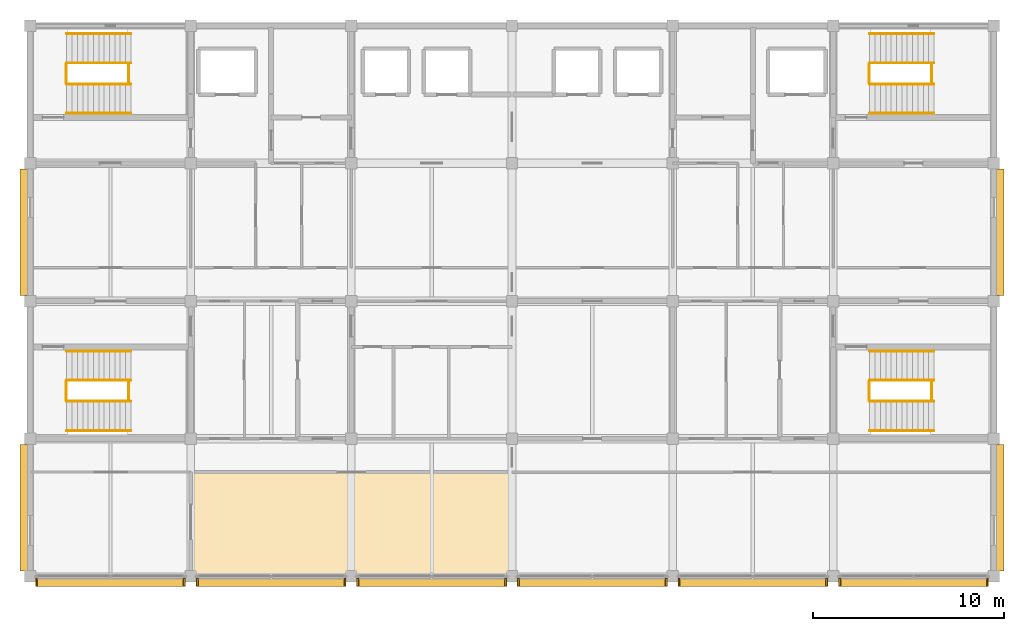
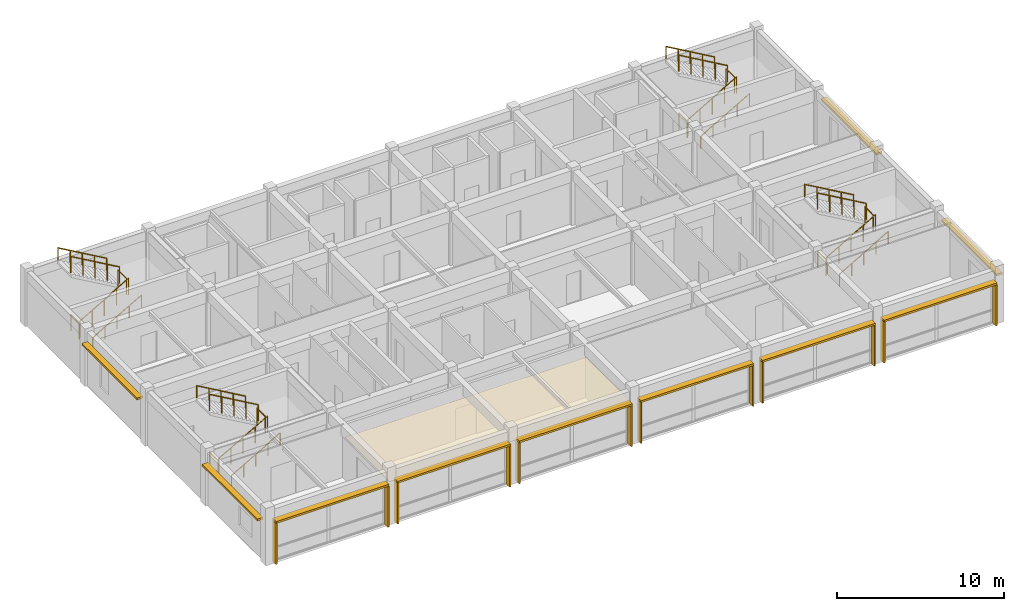
# One storey, part 13 of 13: 24 railings, 22 shading devices, 1 covering.
"""IFC4 building model written with IfcOpenShell, lengths in metres."""

from ifc_helpers import new_model, si_unit, direction, frame, origin, origin_2d, place, context, subcontext, project, spatial, polyline, rectangle, circle, outline, extrude, material, layer, layer_set, type_object, element, save


model = new_model("IFC4")

# Units and contexts
model_context = context("Model", 3, precision=1e-05, world=origin(), true_north=direction((0.0, 1.0)))
body_context = subcontext(model_context, "Body", "Model", "MODEL_VIEW")
ifc_project = project(units=[si_unit("LENGTHUNIT", "METRE"), si_unit("AREAUNIT", "SQUARE_METRE"), si_unit("VOLUMEUNIT", "CUBIC_METRE"), si_unit("PLANEANGLEUNIT", "RADIAN"), si_unit("MASSUNIT", "GRAM", prefix="KILO")], contexts=[model_context])

# Site, building, storey
site_placement = place(None, origin())
site = spatial("IfcSite", under=ifc_project, at=site_placement, CompositionType="ELEMENT")
building_placement = place(site_placement, origin())
building = spatial("IfcBuilding", under=site, at=building_placement, Name="Chengyuan Square Courthouse", CompositionType="ELEMENT")
storey_placement = place(building_placement, frame((0.0, 0.0, 64.5)))
storey = spatial("IfcBuildingStorey", under=building, at=storey_placement, Name="L15", CompositionType="ELEMENT", Elevation=64.5)

# Covering
ifc_material_1 = material(Name="Perforated Larch Glulam Acoustic Slat Ceiling", Category="wood")
ifc_layer = layer(ifc_material_1, 0.044921875)
ifc_layer_set = layer_set([ifc_layer], Name="Perforated Larch Glulam Acoustic Slat Ceiling")
covering_type = type_object("IfcCoveringType", Name="CLG-01", PredefinedType="CEILING", material=ifc_layer_set)
covering_placement = place(storey_placement, frame((0.0, 0.0, 2.85009765625)))
element("IfcCovering", 1, at=covering_placement, inside=storey, type_object=covering_type, Name="Acoustic Timber Slat Ceiling CLG-L15-LCH-01", PredefinedType="CEILING", context=body_context, shape_type="SweptSolid", body=[
    extrude(outline(polyline([(67.25, 79.25), (83.949951171875, 79.25), (83.949951171875, 84.60009765625), (67.25, 84.60009765625), (67.25, 79.25)])), origin(), (0.0, 0.0, 1.0), 0.044921875),
])

# Railings
ifc_material_2 = material(Name="Tempered Glass and Timber Top-Rail Balustrade", Category="wood")
railing_type_1 = type_object("IfcRailingType", Name="RL-02", PredefinedType="BALUSTRADE", material=ifc_material_2)
for number, where, name in (
    (2, (60.68994140625, 105.0, 0.0), "Stair Floor Slot Guard ST-1 L15"),
    (3, (63.949951171875, 105.0, 2.10009765625), "Stair Landing Guard ST-1-L15"),
):
    element("IfcRailing", number, at=place(storey_placement, frame(where)), inside=storey, type_object=railing_type_1, Name=name, PredefinedType="BALUSTRADE", context=body_context, shape_type="SweptSolid", body=[
        extrude(circle(Radius=0.02392578125, at=origin_2d()), frame((0.0, 0.0, 1.17578125), z_axis=(0.0, 1.0, 0.0), x_axis=(-1.0, 0.0, 0.0)), (0.0, 0.0, 1.0), 1.0),
        extrude(circle(Radius=0.02099609375, at=origin_2d()), origin(), (0.0, 0.0, 1.0), 1.15185546875),
        extrude(circle(Radius=0.02099609375, at=origin_2d()), frame((0.0, 1.0, 0.0)), (0.0, 0.0, 1.0), 1.15185546875),
    ])
railing_1_placement = place(storey_placement, frame((60.7099609375, 104.949951171875, 0.16162109375)))
element("IfcRailing", 4, at=railing_1_placement, inside=storey, type_object=railing_type_1, Name="Stair Flight 1 Guard ST-1-L15", PredefinedType="BALUSTRADE", context=body_context, shape_type="SweptSolid", body=[
    extrude(circle(Radius=0.02392578125, at=origin_2d()), frame((0.0, 0.0, 1.17578125), z_axis=(0.866190824863, 0.0, 0.499713372768), x_axis=(0.0, 1.0, 0.0)), (0.0, 0.0, 1.0), 3.879150390625),
    extrude(circle(Radius=0.02099609375, at=origin_2d()), origin(), (0.0, 0.0, 1.0), 1.15185546875),
    extrude(circle(Radius=0.02099609375, at=origin_2d()), frame((0.840087890625, 0.0, 0.484619140625)), (0.0, 0.0, 1.0), 1.15185546875),
    extrude(circle(Radius=0.02099609375, at=origin_2d()), frame((1.68017578125, 0.0, 0.96923828125)), (0.0, 0.0, 1.0), 1.15185546875),
    extrude(circle(Radius=0.02099609375, at=origin_2d()), frame((2.52001953125, 0.0, 1.453857421875)), (0.0, 0.0, 1.0), 1.15185546875),
    extrude(circle(Radius=0.02099609375, at=origin_2d()), frame((3.360107421875, 0.0, 1.9384765625)), (0.0, 0.0, 1.0), 1.15185546875),
])
railing_2_placement = place(storey_placement, frame((64.070068359375, 106.050048828125, 2.261474609375)))
element("IfcRailing", 5, at=railing_2_placement, inside=storey, type_object=railing_type_1, Name="Stair Flight 2 Guard ST-1-L15", PredefinedType="BALUSTRADE", context=body_context, shape_type="SweptSolid", body=[
    extrude(circle(Radius=0.02392578125, at=origin_2d()), frame((0.0, 0.0, 1.17578125), z_axis=(-0.866190824863, 0.0, 0.499713372768), x_axis=(0.0, -1.0, 0.0)), (0.0, 0.0, 1.0), 3.879150390625),
    extrude(circle(Radius=0.02099609375, at=origin_2d()), origin(), (0.0, 0.0, 1.0), 1.15185546875),
    extrude(circle(Radius=0.02099609375, at=origin_2d()), frame((-0.840087890625, 0.0, 0.484619140625)), (0.0, 0.0, 1.0), 1.15185546875),
    extrude(circle(Radius=0.02099609375, at=origin_2d()), frame((-1.68017578125, 0.0, 0.96923828125)), (0.0, 0.0, 1.0), 1.15185546875),
    extrude(circle(Radius=0.02099609375, at=origin_2d()), frame((-2.52001953125, 0.0, 1.453857421875)), (0.0, 0.0, 1.0), 1.15185546875),
    extrude(circle(Radius=0.02099609375, at=origin_2d()), frame((-3.360107421875, 0.0, 1.9384765625)), (0.0, 0.0, 1.0), 1.15185546875),
])
for number, where, name in (
    (6, (102.68994140625, 105.0, 0.0), "Stair Floor Slot Guard ST-2 L15"),
    (7, (105.949951171875, 105.0, 2.10009765625), "Stair Landing Guard ST-2-L15"),
):
    element("IfcRailing", number, at=place(storey_placement, frame(where)), inside=storey, type_object=railing_type_1, Name=name, PredefinedType="BALUSTRADE", context=body_context, shape_type="SweptSolid", body=[
        extrude(circle(Radius=0.02392578125, at=origin_2d()), frame((0.0, 0.0, 1.17578125), z_axis=(0.0, 1.0, 0.0), x_axis=(-1.0, 0.0, 0.0)), (0.0, 0.0, 1.0), 1.0),
        extrude(circle(Radius=0.02099609375, at=origin_2d()), origin(), (0.0, 0.0, 1.0), 1.15185546875),
        extrude(circle(Radius=0.02099609375, at=origin_2d()), frame((0.0, 1.0, 0.0)), (0.0, 0.0, 1.0), 1.15185546875),
    ])
railing_3_placement = place(storey_placement, frame((102.7099609375, 104.949951171875, 0.16162109375)))
element("IfcRailing", 8, at=railing_3_placement, inside=storey, type_object=railing_type_1, Name="Stair Flight 1 Guard ST-2-L15", PredefinedType="BALUSTRADE", context=body_context, shape_type="SweptSolid", body=[
    extrude(circle(Radius=0.02392578125, at=origin_2d()), frame((0.0, 0.0, 1.17578125), z_axis=(0.866190824863, 0.0, 0.499713372768), x_axis=(0.0, 1.0, 0.0)), (0.0, 0.0, 1.0), 3.879150390625),
    extrude(circle(Radius=0.02099609375, at=origin_2d()), origin(), (0.0, 0.0, 1.0), 1.15185546875),
    extrude(circle(Radius=0.02099609375, at=origin_2d()), frame((0.840087890625, 0.0, 0.484619140625)), (0.0, 0.0, 1.0), 1.15185546875),
    extrude(circle(Radius=0.02099609375, at=origin_2d()), frame((1.68017578125, 0.0, 0.96923828125)), (0.0, 0.0, 1.0), 1.15185546875),
    extrude(circle(Radius=0.02099609375, at=origin_2d()), frame((2.52001953125, 0.0, 1.453857421875)), (0.0, 0.0, 1.0), 1.15185546875),
    extrude(circle(Radius=0.02099609375, at=origin_2d()), frame((3.360107421875, 0.0, 1.9384765625)), (0.0, 0.0, 1.0), 1.15185546875),
])
railing_4_placement = place(storey_placement, frame((106.070068359375, 106.050048828125, 2.261474609375)))
element("IfcRailing", 9, at=railing_4_placement, inside=storey, type_object=railing_type_1, Name="Stair Flight 2 Guard ST-2-L15", PredefinedType="BALUSTRADE", context=body_context, shape_type="SweptSolid", body=[
    extrude(circle(Radius=0.02392578125, at=origin_2d()), frame((0.0, 0.0, 1.17578125), z_axis=(-0.866190824863, 0.0, 0.499713372768), x_axis=(0.0, -1.0, 0.0)), (0.0, 0.0, 1.0), 3.879150390625),
    extrude(circle(Radius=0.02099609375, at=origin_2d()), origin(), (0.0, 0.0, 1.0), 1.15185546875),
    extrude(circle(Radius=0.02099609375, at=origin_2d()), frame((-0.840087890625, 0.0, 0.484619140625)), (0.0, 0.0, 1.0), 1.15185546875),
    extrude(circle(Radius=0.02099609375, at=origin_2d()), frame((-1.68017578125, 0.0, 0.96923828125)), (0.0, 0.0, 1.0), 1.15185546875),
    extrude(circle(Radius=0.02099609375, at=origin_2d()), frame((-2.52001953125, 0.0, 1.453857421875)), (0.0, 0.0, 1.0), 1.15185546875),
    extrude(circle(Radius=0.02099609375, at=origin_2d()), frame((-3.360107421875, 0.0, 1.9384765625)), (0.0, 0.0, 1.0), 1.15185546875),
])
for number, where, name in (
    (10, (60.68994140625, 88.39990234375, 0.0), "Stair Floor Slot Guard ST-3 L15"),
    (11, (63.949951171875, 88.39990234375, 2.10009765625), "Stair Landing Guard ST-3-L15"),
):
    element("IfcRailing", number, at=place(storey_placement, frame(where)), inside=storey, type_object=railing_type_1, Name=name, PredefinedType="BALUSTRADE", context=body_context, shape_type="SweptSolid", body=[
        extrude(circle(Radius=0.02392578125, at=origin_2d()), frame((0.0, 0.0, 1.17578125), z_axis=(0.0, 1.0, 0.0), x_axis=(-1.0, 0.0, 0.0)), (0.0, 0.0, 1.0), 1.0),
        extrude(circle(Radius=0.02099609375, at=origin_2d()), origin(), (0.0, 0.0, 1.0), 1.15185546875),
        extrude(circle(Radius=0.02099609375, at=origin_2d()), frame((0.0, 1.0, 0.0)), (0.0, 0.0, 1.0), 1.15185546875),
    ])
railing_5_placement = place(storey_placement, frame((60.7099609375, 88.35009765625, 0.16162109375)))
element("IfcRailing", 12, at=railing_5_placement, inside=storey, type_object=railing_type_1, Name="Stair Flight 1 Guard ST-3-L15", PredefinedType="BALUSTRADE", context=body_context, shape_type="SweptSolid", body=[
    extrude(circle(Radius=0.02392578125, at=origin_2d()), frame((0.0, 0.0, 1.17578125), z_axis=(0.866190824863, 0.0, 0.499713372768), x_axis=(0.0, 1.0, 0.0)), (0.0, 0.0, 1.0), 3.879150390625),
    extrude(circle(Radius=0.02099609375, at=origin_2d()), origin(), (0.0, 0.0, 1.0), 1.15185546875),
    extrude(circle(Radius=0.02099609375, at=origin_2d()), frame((0.840087890625, 0.0, 0.484619140625)), (0.0, 0.0, 1.0), 1.15185546875),
    extrude(circle(Radius=0.02099609375, at=origin_2d()), frame((1.68017578125, 0.0, 0.96923828125)), (0.0, 0.0, 1.0), 1.15185546875),
    extrude(circle(Radius=0.02099609375, at=origin_2d()), frame((2.52001953125, 0.0, 1.453857421875)), (0.0, 0.0, 1.0), 1.15185546875),
    extrude(circle(Radius=0.02099609375, at=origin_2d()), frame((3.360107421875, 0.0, 1.9384765625)), (0.0, 0.0, 1.0), 1.15185546875),
])
railing_6_placement = place(storey_placement, frame((64.070068359375, 89.449951171875, 2.261474609375)))
element("IfcRailing", 13, at=railing_6_placement, inside=storey, type_object=railing_type_1, Name="Stair Flight 2 Guard ST-3-L15", PredefinedType="BALUSTRADE", context=body_context, shape_type="SweptSolid", body=[
    extrude(circle(Radius=0.02392578125, at=origin_2d()), frame((0.0, 0.0, 1.17578125), z_axis=(-0.866190824863, 0.0, 0.499713372768), x_axis=(0.0, -1.0, 0.0)), (0.0, 0.0, 1.0), 3.879150390625),
    extrude(circle(Radius=0.02099609375, at=origin_2d()), origin(), (0.0, 0.0, 1.0), 1.15185546875),
    extrude(circle(Radius=0.02099609375, at=origin_2d()), frame((-0.840087890625, 0.0, 0.484619140625)), (0.0, 0.0, 1.0), 1.15185546875),
    extrude(circle(Radius=0.02099609375, at=origin_2d()), frame((-1.68017578125, 0.0, 0.96923828125)), (0.0, 0.0, 1.0), 1.15185546875),
    extrude(circle(Radius=0.02099609375, at=origin_2d()), frame((-2.52001953125, 0.0, 1.453857421875)), (0.0, 0.0, 1.0), 1.15185546875),
    extrude(circle(Radius=0.02099609375, at=origin_2d()), frame((-3.360107421875, 0.0, 1.9384765625)), (0.0, 0.0, 1.0), 1.15185546875),
])
for number, where, name in (
    (14, (102.68994140625, 88.39990234375, 0.0), "Stair Floor Slot Guard ST-4 L15"),
    (15, (105.949951171875, 88.39990234375, 2.10009765625), "Stair Landing Guard ST-4-L15"),
):
    element("IfcRailing", number, at=place(storey_placement, frame(where)), inside=storey, type_object=railing_type_1, Name=name, PredefinedType="BALUSTRADE", context=body_context, shape_type="SweptSolid", body=[
        extrude(circle(Radius=0.02392578125, at=origin_2d()), frame((0.0, 0.0, 1.17578125), z_axis=(0.0, 1.0, 0.0), x_axis=(-1.0, 0.0, 0.0)), (0.0, 0.0, 1.0), 1.0),
        extrude(circle(Radius=0.02099609375, at=origin_2d()), origin(), (0.0, 0.0, 1.0), 1.15185546875),
        extrude(circle(Radius=0.02099609375, at=origin_2d()), frame((0.0, 1.0, 0.0)), (0.0, 0.0, 1.0), 1.15185546875),
    ])
railing_7_placement = place(storey_placement, frame((102.7099609375, 88.35009765625, 0.16162109375)))
element("IfcRailing", 16, at=railing_7_placement, inside=storey, type_object=railing_type_1, Name="Stair Flight 1 Guard ST-4-L15", PredefinedType="BALUSTRADE", context=body_context, shape_type="SweptSolid", body=[
    extrude(circle(Radius=0.02392578125, at=origin_2d()), frame((0.0, 0.0, 1.17578125), z_axis=(0.866190824863, 0.0, 0.499713372768), x_axis=(0.0, 1.0, 0.0)), (0.0, 0.0, 1.0), 3.879150390625),
    extrude(circle(Radius=0.02099609375, at=origin_2d()), origin(), (0.0, 0.0, 1.0), 1.15185546875),
    extrude(circle(Radius=0.02099609375, at=origin_2d()), frame((0.840087890625, 0.0, 0.484619140625)), (0.0, 0.0, 1.0), 1.15185546875),
    extrude(circle(Radius=0.02099609375, at=origin_2d()), frame((1.68017578125, 0.0, 0.96923828125)), (0.0, 0.0, 1.0), 1.15185546875),
    extrude(circle(Radius=0.02099609375, at=origin_2d()), frame((2.52001953125, 0.0, 1.453857421875)), (0.0, 0.0, 1.0), 1.15185546875),
    extrude(circle(Radius=0.02099609375, at=origin_2d()), frame((3.360107421875, 0.0, 1.9384765625)), (0.0, 0.0, 1.0), 1.15185546875),
])
railing_8_placement = place(storey_placement, frame((106.070068359375, 89.449951171875, 2.261474609375)))
element("IfcRailing", 17, at=railing_8_placement, inside=storey, type_object=railing_type_1, Name="Stair Flight 2 Guard ST-4-L15", PredefinedType="BALUSTRADE", context=body_context, shape_type="SweptSolid", body=[
    extrude(circle(Radius=0.02392578125, at=origin_2d()), frame((0.0, 0.0, 1.17578125), z_axis=(-0.866190824863, 0.0, 0.499713372768), x_axis=(0.0, -1.0, 0.0)), (0.0, 0.0, 1.0), 3.879150390625),
    extrude(circle(Radius=0.02099609375, at=origin_2d()), origin(), (0.0, 0.0, 1.0), 1.15185546875),
    extrude(circle(Radius=0.02099609375, at=origin_2d()), frame((-0.840087890625, 0.0, 0.484619140625)), (0.0, 0.0, 1.0), 1.15185546875),
    extrude(circle(Radius=0.02099609375, at=origin_2d()), frame((-1.68017578125, 0.0, 0.96923828125)), (0.0, 0.0, 1.0), 1.15185546875),
    extrude(circle(Radius=0.02099609375, at=origin_2d()), frame((-2.52001953125, 0.0, 1.453857421875)), (0.0, 0.0, 1.0), 1.15185546875),
    extrude(circle(Radius=0.02099609375, at=origin_2d()), frame((-3.360107421875, 0.0, 1.9384765625)), (0.0, 0.0, 1.0), 1.15185546875),
])
ifc_material_3 = material(Name="Stainless Steel S30408 Stair Handrail", Category="steel")
railing_type_2 = type_object("IfcRailingType", Name="RL-04", PredefinedType="HANDRAIL", material=ifc_material_3)
railing_9_placement = place(storey_placement, frame((60.7099609375, 103.419921875, 0.16162109375)))
element("IfcRailing", 18, at=railing_9_placement, inside=storey, type_object=railing_type_2, Name="Stair Flight 1 Handrail ST-1-L15", PredefinedType="HANDRAIL", context=body_context, shape_type="SweptSolid", body=[
    extrude(circle(Radius=0.02392578125, at=origin_2d()), frame((0.0, 0.0, 0.8759765625), z_axis=(0.866190824863, 0.0, 0.499713372768), x_axis=(0.0, 1.0, 0.0)), (0.0, 0.0, 1.0), 3.879150390625),
    extrude(circle(Radius=0.02099609375, at=origin_2d()), origin(), (0.0, 0.0, 1.0), 0.851806640625),
    extrude(circle(Radius=0.02099609375, at=origin_2d()), frame((0.840087890625, 0.0, 0.484619140625)), (0.0, 0.0, 1.0), 0.851806640625),
    extrude(circle(Radius=0.02099609375, at=origin_2d()), frame((1.68017578125, 0.0, 0.96923828125)), (0.0, 0.0, 1.0), 0.851806640625),
    extrude(circle(Radius=0.02099609375, at=origin_2d()), frame((2.52001953125, 0.0, 1.453857421875)), (0.0, 0.0, 1.0), 0.851806640625),
    extrude(circle(Radius=0.02099609375, at=origin_2d()), frame((3.360107421875, 0.0, 1.9384765625)), (0.0, 0.0, 1.0), 0.851806640625),
])
railing_10_placement = place(storey_placement, frame((64.070068359375, 107.580078125, 2.261474609375)))
element("IfcRailing", 19, at=railing_10_placement, inside=storey, type_object=railing_type_2, Name="Stair Flight 2 Handrail ST-1-L15", PredefinedType="HANDRAIL", context=body_context, shape_type="SweptSolid", body=[
    extrude(circle(Radius=0.02392578125, at=origin_2d()), frame((0.0, 0.0, 0.8759765625), z_axis=(-0.866190824863, 0.0, 0.499713372768), x_axis=(0.0, -1.0, 0.0)), (0.0, 0.0, 1.0), 3.879150390625),
    extrude(circle(Radius=0.02099609375, at=origin_2d()), origin(), (0.0, 0.0, 1.0), 0.851806640625),
    extrude(circle(Radius=0.02099609375, at=origin_2d()), frame((-0.840087890625, 0.0, 0.484619140625)), (0.0, 0.0, 1.0), 0.851806640625),
    extrude(circle(Radius=0.02099609375, at=origin_2d()), frame((-1.68017578125, 0.0, 0.96923828125)), (0.0, 0.0, 1.0), 0.851806640625),
    extrude(circle(Radius=0.02099609375, at=origin_2d()), frame((-2.52001953125, 0.0, 1.453857421875)), (0.0, 0.0, 1.0), 0.851806640625),
    extrude(circle(Radius=0.02099609375, at=origin_2d()), frame((-3.360107421875, 0.0, 1.9384765625)), (0.0, 0.0, 1.0), 0.851806640625),
])
railing_11_placement = place(storey_placement, frame((102.7099609375, 103.419921875, 0.16162109375)))
element("IfcRailing", 20, at=railing_11_placement, inside=storey, type_object=railing_type_2, Name="Stair Flight 1 Handrail ST-2-L15", PredefinedType="HANDRAIL", context=body_context, shape_type="SweptSolid", body=[
    extrude(circle(Radius=0.02392578125, at=origin_2d()), frame((0.0, 0.0, 0.8759765625), z_axis=(0.866190824863, 0.0, 0.499713372768), x_axis=(0.0, 1.0, 0.0)), (0.0, 0.0, 1.0), 3.879150390625),
    extrude(circle(Radius=0.02099609375, at=origin_2d()), origin(), (0.0, 0.0, 1.0), 0.851806640625),
    extrude(circle(Radius=0.02099609375, at=origin_2d()), frame((0.840087890625, 0.0, 0.484619140625)), (0.0, 0.0, 1.0), 0.851806640625),
    extrude(circle(Radius=0.02099609375, at=origin_2d()), frame((1.68017578125, 0.0, 0.96923828125)), (0.0, 0.0, 1.0), 0.851806640625),
    extrude(circle(Radius=0.02099609375, at=origin_2d()), frame((2.52001953125, 0.0, 1.453857421875)), (0.0, 0.0, 1.0), 0.851806640625),
    extrude(circle(Radius=0.02099609375, at=origin_2d()), frame((3.360107421875, 0.0, 1.9384765625)), (0.0, 0.0, 1.0), 0.851806640625),
])
railing_12_placement = place(storey_placement, frame((106.070068359375, 107.580078125, 2.261474609375)))
element("IfcRailing", 21, at=railing_12_placement, inside=storey, type_object=railing_type_2, Name="Stair Flight 2 Handrail ST-2-L15", PredefinedType="HANDRAIL", context=body_context, shape_type="SweptSolid", body=[
    extrude(circle(Radius=0.02392578125, at=origin_2d()), frame((0.0, 0.0, 0.8759765625), z_axis=(-0.866190824863, 0.0, 0.499713372768), x_axis=(0.0, -1.0, 0.0)), (0.0, 0.0, 1.0), 3.879150390625),
    extrude(circle(Radius=0.02099609375, at=origin_2d()), origin(), (0.0, 0.0, 1.0), 0.851806640625),
    extrude(circle(Radius=0.02099609375, at=origin_2d()), frame((-0.840087890625, 0.0, 0.484619140625)), (0.0, 0.0, 1.0), 0.851806640625),
    extrude(circle(Radius=0.02099609375, at=origin_2d()), frame((-1.68017578125, 0.0, 0.96923828125)), (0.0, 0.0, 1.0), 0.851806640625),
    extrude(circle(Radius=0.02099609375, at=origin_2d()), frame((-2.52001953125, 0.0, 1.453857421875)), (0.0, 0.0, 1.0), 0.851806640625),
    extrude(circle(Radius=0.02099609375, at=origin_2d()), frame((-3.360107421875, 0.0, 1.9384765625)), (0.0, 0.0, 1.0), 0.851806640625),
])
railing_13_placement = place(storey_placement, frame((60.7099609375, 86.820068359375, 0.16162109375)))
element("IfcRailing", 22, at=railing_13_placement, inside=storey, type_object=railing_type_2, Name="Stair Flight 1 Handrail ST-3-L15", PredefinedType="HANDRAIL", context=body_context, shape_type="SweptSolid", body=[
    extrude(circle(Radius=0.02392578125, at=origin_2d()), frame((0.0, 0.0, 0.8759765625), z_axis=(0.866190824863, 0.0, 0.499713372768), x_axis=(0.0, 1.0, 0.0)), (0.0, 0.0, 1.0), 3.879150390625),
    extrude(circle(Radius=0.02099609375, at=origin_2d()), origin(), (0.0, 0.0, 1.0), 0.851806640625),
    extrude(circle(Radius=0.02099609375, at=origin_2d()), frame((0.840087890625, 0.0, 0.484619140625)), (0.0, 0.0, 1.0), 0.851806640625),
    extrude(circle(Radius=0.02099609375, at=origin_2d()), frame((1.68017578125, 0.0, 0.96923828125)), (0.0, 0.0, 1.0), 0.851806640625),
    extrude(circle(Radius=0.02099609375, at=origin_2d()), frame((2.52001953125, 0.0, 1.453857421875)), (0.0, 0.0, 1.0), 0.851806640625),
    extrude(circle(Radius=0.02099609375, at=origin_2d()), frame((3.360107421875, 0.0, 1.9384765625)), (0.0, 0.0, 1.0), 0.851806640625),
])
railing_14_placement = place(storey_placement, frame((64.070068359375, 90.97998046875, 2.261474609375)))
element("IfcRailing", 23, at=railing_14_placement, inside=storey, type_object=railing_type_2, Name="Stair Flight 2 Handrail ST-3-L15", PredefinedType="HANDRAIL", context=body_context, shape_type="SweptSolid", body=[
    extrude(circle(Radius=0.02392578125, at=origin_2d()), frame((0.0, 0.0, 0.8759765625), z_axis=(-0.866190824863, 0.0, 0.499713372768), x_axis=(0.0, -1.0, 0.0)), (0.0, 0.0, 1.0), 3.879150390625),
    extrude(circle(Radius=0.02099609375, at=origin_2d()), origin(), (0.0, 0.0, 1.0), 0.851806640625),
    extrude(circle(Radius=0.02099609375, at=origin_2d()), frame((-0.840087890625, 0.0, 0.484619140625)), (0.0, 0.0, 1.0), 0.851806640625),
    extrude(circle(Radius=0.02099609375, at=origin_2d()), frame((-1.68017578125, 0.0, 0.96923828125)), (0.0, 0.0, 1.0), 0.851806640625),
    extrude(circle(Radius=0.02099609375, at=origin_2d()), frame((-2.52001953125, 0.0, 1.453857421875)), (0.0, 0.0, 1.0), 0.851806640625),
    extrude(circle(Radius=0.02099609375, at=origin_2d()), frame((-3.360107421875, 0.0, 1.9384765625)), (0.0, 0.0, 1.0), 0.851806640625),
])
railing_15_placement = place(storey_placement, frame((102.7099609375, 86.820068359375, 0.16162109375)))
element("IfcRailing", 24, at=railing_15_placement, inside=storey, type_object=railing_type_2, Name="Stair Flight 1 Handrail ST-4-L15", PredefinedType="HANDRAIL", context=body_context, shape_type="SweptSolid", body=[
    extrude(circle(Radius=0.02392578125, at=origin_2d()), frame((0.0, 0.0, 0.8759765625), z_axis=(0.866190824863, 0.0, 0.499713372768), x_axis=(0.0, 1.0, 0.0)), (0.0, 0.0, 1.0), 3.879150390625),
    extrude(circle(Radius=0.02099609375, at=origin_2d()), origin(), (0.0, 0.0, 1.0), 0.851806640625),
    extrude(circle(Radius=0.02099609375, at=origin_2d()), frame((0.840087890625, 0.0, 0.484619140625)), (0.0, 0.0, 1.0), 0.851806640625),
    extrude(circle(Radius=0.02099609375, at=origin_2d()), frame((1.68017578125, 0.0, 0.96923828125)), (0.0, 0.0, 1.0), 0.851806640625),
    extrude(circle(Radius=0.02099609375, at=origin_2d()), frame((2.52001953125, 0.0, 1.453857421875)), (0.0, 0.0, 1.0), 0.851806640625),
    extrude(circle(Radius=0.02099609375, at=origin_2d()), frame((3.360107421875, 0.0, 1.9384765625)), (0.0, 0.0, 1.0), 0.851806640625),
])
railing_16_placement = place(storey_placement, frame((106.070068359375, 90.97998046875, 2.261474609375)))
element("IfcRailing", 25, at=railing_16_placement, inside=storey, type_object=railing_type_2, Name="Stair Flight 2 Handrail ST-4-L15", PredefinedType="HANDRAIL", context=body_context, shape_type="SweptSolid", body=[
    extrude(circle(Radius=0.02392578125, at=origin_2d()), frame((0.0, 0.0, 0.8759765625), z_axis=(-0.866190824863, 0.0, 0.499713372768), x_axis=(0.0, -1.0, 0.0)), (0.0, 0.0, 1.0), 3.879150390625),
    extrude(circle(Radius=0.02099609375, at=origin_2d()), origin(), (0.0, 0.0, 1.0), 0.851806640625),
    extrude(circle(Radius=0.02099609375, at=origin_2d()), frame((-0.840087890625, 0.0, 0.484619140625)), (0.0, 0.0, 1.0), 0.851806640625),
    extrude(circle(Radius=0.02099609375, at=origin_2d()), frame((-1.68017578125, 0.0, 0.96923828125)), (0.0, 0.0, 1.0), 0.851806640625),
    extrude(circle(Radius=0.02099609375, at=origin_2d()), frame((-2.52001953125, 0.0, 1.453857421875)), (0.0, 0.0, 1.0), 0.851806640625),
    extrude(circle(Radius=0.02099609375, at=origin_2d()), frame((-3.360107421875, 0.0, 1.9384765625)), (0.0, 0.0, 1.0), 0.851806640625),
])

# Shading devices
ifc_material_4 = material(Name="Glulam TCt28 Solar Shading Fin", Category="wood")
shading_device_type_1 = type_object("IfcShadingDeviceType", Name="SHD-01", PredefinedType="JALOUSIE", material=ifc_material_4)
for number, where, z_axis, x_axis, name in (
    (26, (59.135009765625, 78.89794921875, 0.0400390625), (0.0, 0.0, 1.0), (0.0, 1.0, 0.0), "Glulam Solar Fin SHD-L15-0933"),
    (27, (66.864990234375, 78.89794921875, 0.0400390625), (0.0, 0.0, 1.0), (0.0, 1.0, 0.0), "Glulam Solar Fin SHD-L15-0934"),
    (28, (67.534912109375, 78.89794921875, 0.0400390625), (0.0, 0.0, 1.0), (0.0, 1.0, 0.0), "Glulam Solar Fin SHD-L15-0938"),
    (29, (75.264892578125, 78.89794921875, 0.0400390625), (0.0, 0.0, 1.0), (0.0, 1.0, 0.0), "Glulam Solar Fin SHD-L15-0939"),
    (30, (75.93505859375, 78.89794921875, 0.0400390625), (0.0, 0.0, 1.0), (0.0, 1.0, 0.0), "Glulam Solar Fin SHD-L15-0941"),
    (31, (83.6650390625, 78.89794921875, 0.0400390625), (0.0, 0.0, 1.0), (0.0, 1.0, 0.0), "Glulam Solar Fin SHD-L15-0942"),
    (32, (84.3349609375, 78.89794921875, 0.0400390625), (0.0, 0.0, 1.0), (0.0, 1.0, 0.0), "Glulam Solar Fin SHD-L15-0944"),
    (33, (92.06494140625, 78.89794921875, 0.0400390625), (0.0, 0.0, 1.0), (0.0, 1.0, 0.0), "Glulam Solar Fin SHD-L15-0945"),
    (34, (92.735107421875, 78.89794921875, 0.0400390625), (0.0, 0.0, 1.0), (0.0, 1.0, 0.0), "Glulam Solar Fin SHD-L15-0947"),
    (35, (100.465087890625, 78.89794921875, 0.0400390625), (0.0, 0.0, 1.0), (0.0, 1.0, 0.0), "Glulam Solar Fin SHD-L15-0948"),
    (36, (101.135009765625, 78.89794921875, 0.0400390625), (0.0, 0.0, 1.0), (0.0, 1.0, 0.0), "Glulam Solar Fin SHD-L15-0950"),
    (37, (108.864990234375, 78.89794921875, 0.0400390625), (0.0, 0.0, 1.0), (0.0, 1.0, 0.0), "Glulam Solar Fin SHD-L15-0951"),
):
    element("IfcShadingDevice", number, at=place(storey_placement, frame(where, z_axis=z_axis, x_axis=x_axis)), inside=storey, type_object=shading_device_type_1, Name=name, PredefinedType="JALOUSIE", context=body_context, shape_type="SweptSolid", body=[
        extrude(rectangle(XDim=0.419921875, YDim=0.094970703125, at=origin_2d()), origin(), (0.0, 0.0, 1.0), 2.989990234375),
    ])
ifc_material_5 = material(Name="Glulam TCt28 Sunshade Louvre", Category="wood")
shading_device_type_2 = type_object("IfcShadingDeviceType", Name="SHD-02", PredefinedType="AWNING", material=ifc_material_5)
for number, where, z_axis, x_axis, name in (
    (38, (63.0, 78.89794921875, 3.0302734375), (0.0, 0.0, 1.0), (1.0, 0.0, 0.0), "Glulam Sunshade Louvre SHD-L15-0935"),
    (39, (71.39990234375, 78.89794921875, 3.0302734375), (0.0, 0.0, 1.0), (1.0, 0.0, 0.0), "Glulam Sunshade Louvre SHD-L15-0940"),
    (40, (79.800048828125, 78.89794921875, 3.0302734375), (0.0, 0.0, 1.0), (1.0, 0.0, 0.0), "Glulam Sunshade Louvre SHD-L15-0943"),
    (41, (88.199951171875, 78.89794921875, 3.0302734375), (0.0, 0.0, 1.0), (1.0, 0.0, 0.0), "Glulam Sunshade Louvre SHD-L15-0946"),
    (42, (96.60009765625, 78.89794921875, 3.0302734375), (0.0, 0.0, 1.0), (1.0, 0.0, 0.0), "Glulam Sunshade Louvre SHD-L15-0949"),
    (43, (105.0, 78.89794921875, 3.0302734375), (0.0, 0.0, 1.0), (1.0, 0.0, 0.0), "Glulam Sunshade Louvre SHD-L15-0952"),
):
    element("IfcShadingDevice", number, at=place(storey_placement, frame(where, z_axis=z_axis, x_axis=x_axis)), inside=storey, type_object=shading_device_type_2, Name=name, PredefinedType="AWNING", context=body_context, shape_type="SweptSolid", body=[
        extrude(rectangle(XDim=7.800048828125, YDim=0.43994140625, at=origin_2d()), origin(), (0.0, 0.0, 1.0), 0.139892578125),
    ])
ifc_material_6 = material(Name="Glulam TCt28 Facade Sunshade", Category="wood")
shading_device_type_3 = type_object("IfcShadingDeviceType", Name="SHD-03", PredefinedType="AWNING", material=ifc_material_6)
for number, where, z_axis, x_axis, name in (
    (44, (58.468017578125, 82.800048828125, 3.01025390625), (0.0, 0.0, 1.0), (0.0, 1.0, 0.0), "Glulam Facade Sunshade SHD-L15-0936"),
    (45, (58.468017578125, 97.199951171875, 3.10986328125), (0.0, 0.0, 1.0), (0.0, 1.0, 0.0), "Glulam Facade Sunshade SHD-L15-0937"),
    (46, (109.531982421875, 82.800048828125, 3.01025390625), (0.0, 0.0, 1.0), (0.0, 1.0, 0.0), "Glulam Facade Sunshade SHD-L15-0953"),
    (47, (109.531982421875, 97.199951171875, 3.10986328125), (0.0, 0.0, 1.0), (0.0, 1.0, 0.0), "Glulam Facade Sunshade SHD-L15-0954"),
):
    element("IfcShadingDevice", number, at=place(storey_placement, frame(where, z_axis=z_axis, x_axis=x_axis)), inside=storey, type_object=shading_device_type_3, Name=name, PredefinedType="AWNING", context=body_context, shape_type="SweptSolid", body=[
        extrude(rectangle(XDim=6.610107421875, YDim=0.39990234375, at=origin_2d()), origin(), (0.0, 0.0, 1.0), 0.139892578125),
    ])

save(model, "model.ifc")
